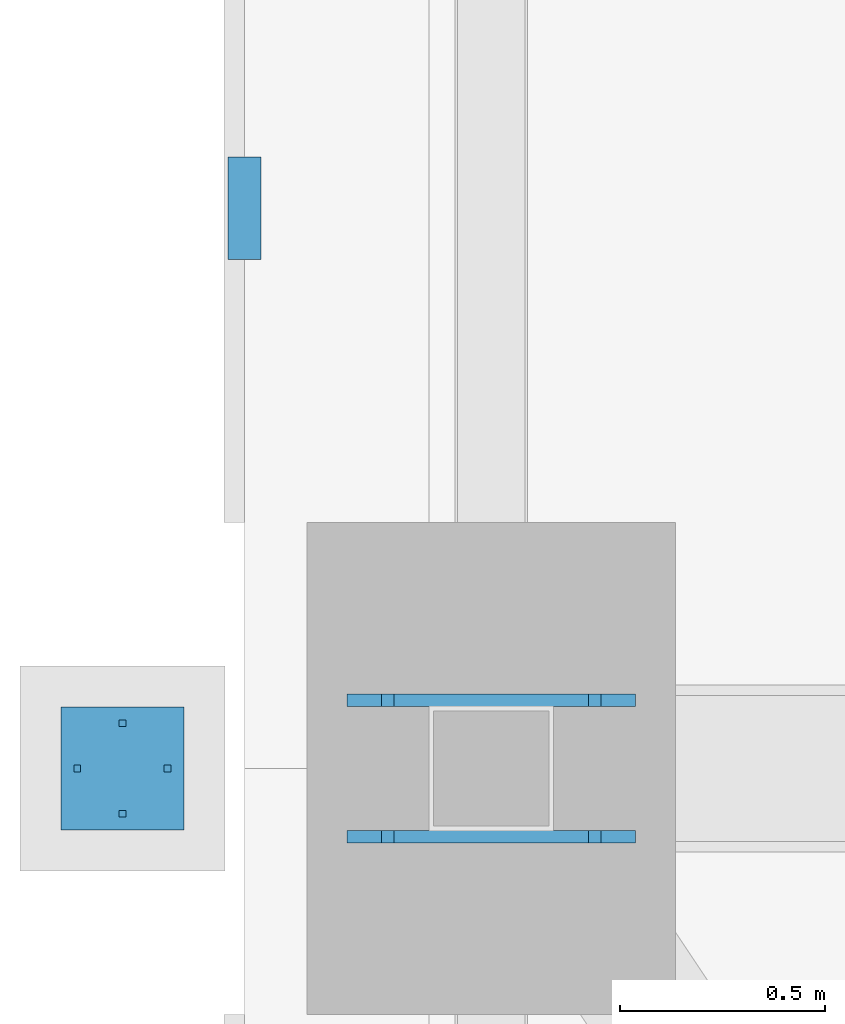
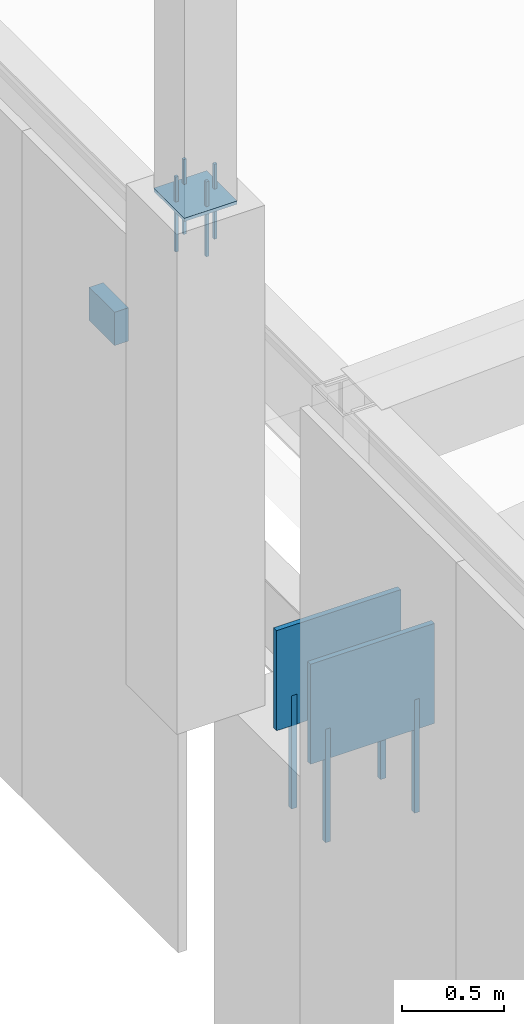
# One storey, part 167 of 278: 8 mechanical fasteners, 4 discrete accessories.
"""IFC4 building model written with IfcOpenShell, lengths in metres."""

from ifc_helpers import new_model, si_unit, direction, frame, origin, origin_2d, place, context, subcontext, project, spatial, rectangle, extrude, material, layer, layer_set, type_object, element, save


model = new_model("IFC4")

# Units and contexts
model_context = context("Model", 3, precision=1e-05, world=origin(), true_north=direction((0.0, 1.0)))
body_context = subcontext(model_context, "Body", "Model", "MODEL_VIEW")
ifc_project = project(units=[si_unit("LENGTHUNIT", "METRE"), si_unit("AREAUNIT", "SQUARE_METRE"), si_unit("VOLUMEUNIT", "CUBIC_METRE"), si_unit("PLANEANGLEUNIT", "RADIAN"), si_unit("MASSUNIT", "GRAM", prefix="KILO")], contexts=[model_context])

# Site, building, storey
site_placement = place(None, origin())
site = spatial("IfcSite", under=ifc_project, at=site_placement, CompositionType="ELEMENT")
building_placement = place(site_placement, origin())
building = spatial("IfcBuilding", under=site, at=building_placement, Name="Ogive Plaza Stadium", CompositionType="ELEMENT")
storey_placement = place(building_placement, frame((0.0, 0.0, 29.0)))
storey = spatial("IfcBuildingStorey", under=building, at=storey_placement, Name="Roof", CompositionType="ELEMENT", Elevation=29.0)

# Mechanical fasteners
ifc_material_1 = material(Name="Steel ASTM A992 Grade 50", Category="steel")
mechanical_fastener_type_1 = type_object("IfcMechanicalFastenerType", Name="Anchor bolt M30 x 600", PredefinedType="ANCHORBOLT", material=ifc_material_1)
for number, where, z_axis, x_axis, name in (
    (1, (-84.25244140625, 22.33349609375, 3.0), (0.0, 0.0, 1.0), (-1.0, 0.0, 0.0), "ANCHOR BOLT 26 BF 1.1"),
    (2, (-83.74755859375, 22.33349609375, 3.0), (0.0, 0.0, 1.0), (-1.0, 0.0, 0.0), "ANCHOR BOLT 26 BF 1.2"),
    (3, (-84.25244140625, 22.66650390625, 3.0), (0.0, 0.0, 1.0), (-1.0, 0.0, 0.0), "ANCHOR BOLT 26 BF 2.1"),
    (4, (-83.74755859375, 22.66650390625, 3.0), (0.0, 0.0, 1.0), (-1.0, 0.0, 0.0), "ANCHOR BOLT 26 BF 2.2"),
):
    element("IfcMechanicalFastener", number, at=place(storey_placement, frame(where, z_axis=z_axis, x_axis=x_axis)), inside=storey, type_object=mechanical_fastener_type_1, Name=name, PredefinedType="ANCHORBOLT", context=body_context, shape_type="SweptSolid", body=[
        extrude(rectangle(XDim=0.030029296875, YDim=0.030029296875, at=origin_2d()), origin(), (0.0, 0.0, 1.0), 0.679931640625),
    ])
ifc_material_2 = material(Name="Steel ASTM A992 Grade 50", Category="steel")
mechanical_fastener_type_2 = type_object("IfcMechanicalFastenerType", Name="Spire anchor bolt M16 x 450", PredefinedType="ANCHORBOLT", material=ifc_material_2)
for number, where, z_axis, x_axis, name in (
    (5, (-85.010009765625, 22.5, 6.7001953125), (0.0, 0.0, 1.0), (-1.0, 0.0, 0.0), "SPIRE ANCHOR BOLT 26 1"),
    (6, (-84.7900390625, 22.5, 6.7001953125), (0.0, 0.0, 1.0), (-1.0, 0.0, 0.0), "SPIRE ANCHOR BOLT 26 2"),
    (7, (-84.89990234375, 22.389892578125, 6.7001953125), (0.0, 0.0, 1.0), (-1.0, 0.0, 0.0), "SPIRE ANCHOR BOLT 26 3"),
    (8, (-84.89990234375, 22.610107421875, 6.7001953125), (0.0, 0.0, 1.0), (-1.0, 0.0, 0.0), "SPIRE ANCHOR BOLT 26 4"),
):
    element("IfcMechanicalFastener", number, at=place(storey_placement, frame(where, z_axis=z_axis, x_axis=x_axis)), inside=storey, type_object=mechanical_fastener_type_2, Name=name, PredefinedType="ANCHORBOLT", context=body_context, shape_type="SweptSolid", body=[
        extrude(rectangle(XDim=0.01611328125, YDim=0.01611328125, at=origin_2d()), origin(), (0.0, 0.0, 1.0), 0.449951171875),
    ])

# Discrete accessories
ifc_material_3 = material(Name="Steel ASTM A992 Grade 50", Category="steel")
ifc_layer_1 = layer(ifc_material_3, 0.02001953125)
ifc_layer_set_1 = layer_set([ifc_layer_1], Name="Steel ASTM A992 Grade 50")
discrete_accessory_type_1 = type_object("IfcDiscreteAccessoryType", Name="Spire seat plate 20", PredefinedType="ANCHORPLATE", material=ifc_layer_set_1)
discrete_accessory_1_placement = place(storey_placement, frame((-84.89990234375, 22.5, 6.98095703125), z_axis=(0.0, 0.0, 1.0), x_axis=(-1.0, 0.0, 0.0)))
element("IfcDiscreteAccessory", 9, at=discrete_accessory_1_placement, inside=storey, type_object=discrete_accessory_type_1, Name="SPIRE SEAT PLATE 26", PredefinedType="ANCHORPLATE", context=body_context, shape_type="SweptSolid", body=[
    extrude(rectangle(XDim=0.300048828125, YDim=0.300048828125, at=origin_2d()), origin(), (0.0, 0.0, 1.0), 0.02001953125),
])
ifc_material_4 = material(Name="Steel ASTM A572 Grade 50", Category="steel")
ifc_layer_2 = layer(ifc_material_4, 0.080078125)
ifc_layer_set_2 = layer_set([ifc_layer_2], Name="Steel ASTM A572 Grade 50")
discrete_accessory_type_2 = type_object("IfcDiscreteAccessoryType", Name="Tracery screen bracket 250x200", PredefinedType="BRACKET", material=ifc_layer_set_2)
discrete_accessory_2_placement = place(storey_placement, frame((-84.602294921875, 23.86669921875, 5.25), z_axis=(0.0, 0.0, 1.0), x_axis=(0.0, 1.0, 0.0)))
element("IfcDiscreteAccessory", 10, at=discrete_accessory_2_placement, inside=storey, type_object=discrete_accessory_type_2, Name="TRACERY SCREEN BRACKET B26 1", PredefinedType="BRACKET", context=body_context, shape_type="SweptSolid", body=[
    extrude(rectangle(XDim=0.25, YDim=0.080078125, at=origin_2d()), origin(), (0.0, 0.0, 1.0), 0.199951171875),
])
ifc_material_5 = material(Name="Steel ASTM A992 Grade 50", Category="steel")
ifc_layer_3 = layer(ifc_material_5, 0.030029296875)
ifc_layer_set_3 = layer_set([ifc_layer_3], Name="Steel ASTM A992 Grade 50")
discrete_accessory_type_3 = type_object("IfcDiscreteAccessoryType", Name="Truss back-stay foot cleat plate 30", PredefinedType="ANCHORPLATE", material=ifc_layer_set_3)
for number, where, z_axis, x_axis, name in (
    (11, (-84.0, 22.33349609375, 3.5), (0.0, 0.0, 1.0), (-1.0, 0.0, 0.0), "TRUSS BACK-STAY FOOT CLEAT PLATE 26 1"),
    (12, (-84.0, 22.66650390625, 3.5), (0.0, 0.0, 1.0), (-1.0, 0.0, 0.0), "TRUSS BACK-STAY FOOT CLEAT PLATE 26 2"),
):
    element("IfcDiscreteAccessory", number, at=place(storey_placement, frame(where, z_axis=z_axis, x_axis=x_axis)), inside=storey, type_object=discrete_accessory_type_3, Name=name, PredefinedType="ANCHORPLATE", context=body_context, shape_type="SweptSolid", body=[
        extrude(rectangle(XDim=0.704833984375, YDim=0.030029296875, at=origin_2d()), origin(), (0.0, 0.0, 1.0), 0.60009765625),
    ])

save(model, "model.ifc")
